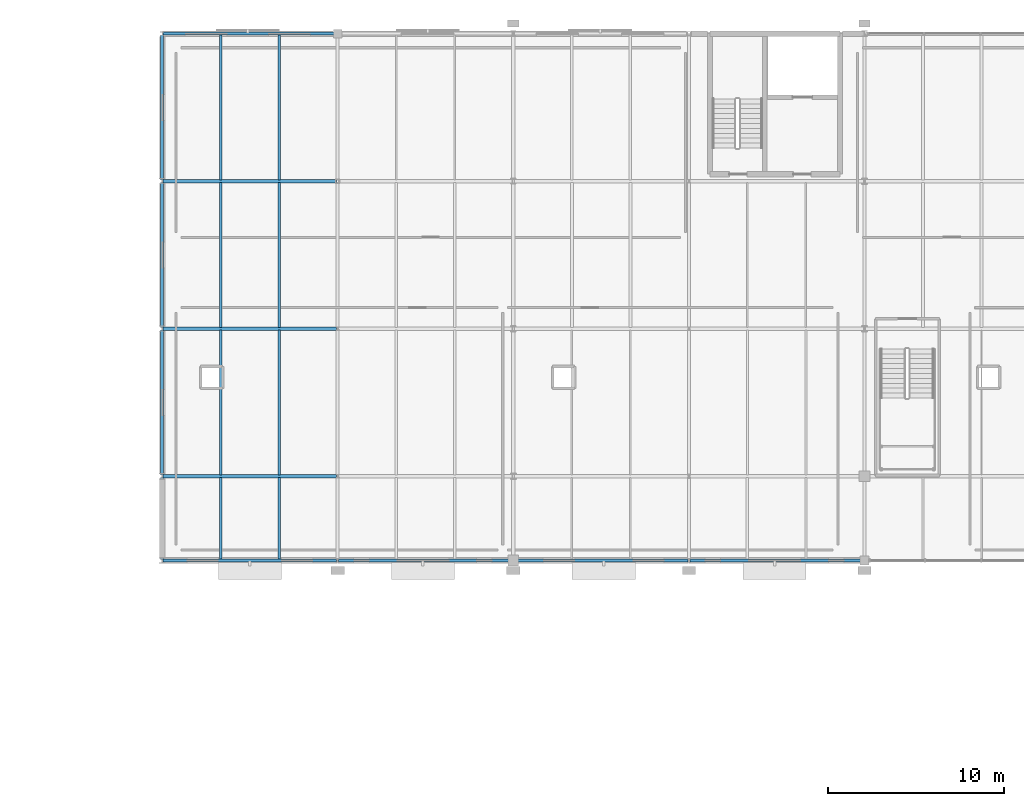
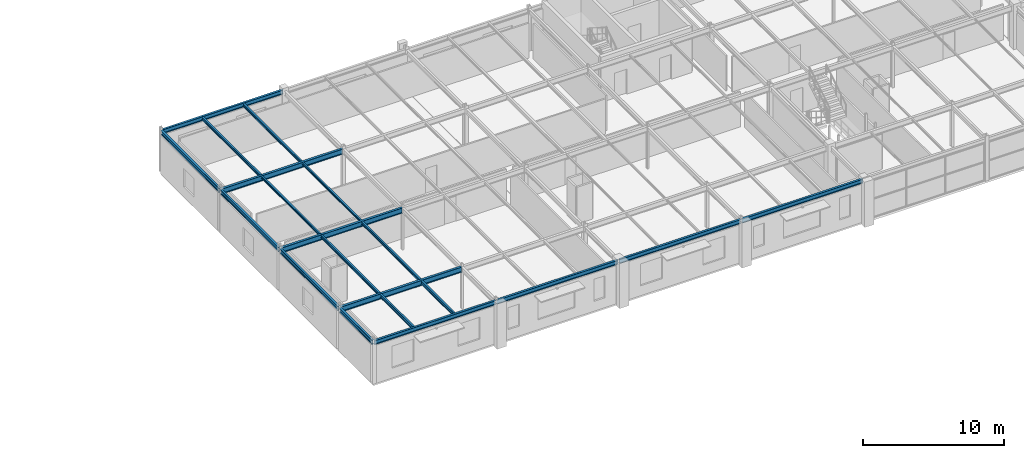
# One storey, part 53 of 98: 20 beams.
"""IFC4 building model written with IfcOpenShell, lengths in metres."""

from ifc_helpers import new_model, si_unit, derived_unit, direction, frame, origin, origin_2d_with_axis, place, context, subcontext, project, spatial, i_section, extrude, material, material_profile, profile_set, type_object, element, save


model = new_model("IFC4")

# Units and contexts
model_context = context("Model", 3, precision=1e-05, world=origin(), true_north=direction((0.0, 1.0)))
body_context = subcontext(model_context, "Body", "Model", "MODEL_VIEW")
ifc_project = project(units=[si_unit("LENGTHUNIT", "METRE"), si_unit("AREAUNIT", "SQUARE_METRE"), si_unit("VOLUMEUNIT", "CUBIC_METRE"), si_unit("PLANEANGLEUNIT", "RADIAN"), si_unit("MASSUNIT", "GRAM", prefix="KILO"), derived_unit("THERMALTRANSMITTANCEUNIT", [(si_unit("POWERUNIT", "WATT"), 1), (si_unit("LENGTHUNIT", "METRE"), -2), (si_unit("THERMODYNAMICTEMPERATUREUNIT", "KELVIN"), -1)])], contexts=[model_context])

# Site, building, storey
site_placement = place(None, origin())
site = spatial("IfcSite", under=ifc_project, at=site_placement, CompositionType="ELEMENT")
building_placement = place(site_placement, origin())
building = spatial("IfcBuilding", under=site, at=building_placement, Name="Cinnabar Yard Market Hall", CompositionType="ELEMENT")
storey_placement = place(building_placement, frame((0.0, 0.0, 4.5)))
storey = spatial("IfcBuildingStorey", under=building, at=storey_placement, Name="L01", CompositionType="ELEMENT", Elevation=4.5)

# Beams
ifc_material = material(Name="Steel Grade 300 (300 MPa)", Category="steel")
ifc_material_profile_1 = material_profile(ifc_material, i_section(OverallWidth=0.18994140625, OverallDepth=0.453857421875, WebThickness=0.008544921875, FlangeThickness=0.0126953125, FilletRadius=0.011474609375, at=origin_2d_with_axis()), Name="460UB67.1")
ifc_profile_set_1 = profile_set([ifc_material_profile_1], Name="Steel Grade 300 (300 MPa)")
beam_type_1 = type_object("IfcBeamType", Name="BM-B05", PredefinedType="BEAM", material=ifc_profile_set_1)
for number, where, z_axis, x_axis, name in (
    (1, (66.06005859375, 112.800048828125, 3.423095703125), (1.0, 0.0, 0.0), (0.0, 1.0, 0.0), "V3 L01 Girder X 01024"),
    (2, (66.06005859375, 121.199951171875, 3.423095703125), (1.0, 0.0, 0.0), (0.0, 1.0, 0.0), "V3 L01 Girder X 01025"),
    (3, (66.06005859375, 129.60009765625, 3.423095703125), (1.0, 0.0, 0.0), (0.0, 1.0, 0.0), "V3 L01 Girder X 01026"),
):
    element("IfcBeam", number, at=place(storey_placement, frame(where, z_axis=z_axis, x_axis=x_axis)), inside=storey, type_object=beam_type_1, Name=name, PredefinedType="BEAM", context=body_context, shape_type="SweptSolid", body=[
        extrude(i_section(OverallWidth=0.18994140625, OverallDepth=0.453857421875, WebThickness=0.008544921875, FlangeThickness=0.0126953125, FilletRadius=0.011474609375, at=origin_2d_with_axis()), origin(), (0.0, 0.0, 1.0), 9.8798828125),
    ])
ifc_material_profile_2 = material_profile(ifc_material, i_section(OverallWidth=0.14892578125, OverallDepth=0.298095703125, WebThickness=0.005615234375, FlangeThickness=0.008056640625, FilletRadius=0.0087890625, at=origin_2d_with_axis()), Name="310UB32.0")
ifc_profile_set_2 = profile_set([ifc_material_profile_2], Name="Steel Grade 300 (300 MPa)")
beam_type_2 = type_object("IfcBeamType", Name="BM-J02", PredefinedType="JOIST", material=ifc_profile_set_2)
for number, where, z_axis, x_axis, name in (
    (4, (69.333251953125, 108.074951171875, 3.5009765625), (0.0, 1.0, 0.0), (-1.0, 0.0, 0.0), "V3 L01 Joist 01117"),
    (5, (72.666748046875, 108.074951171875, 3.5009765625), (0.0, 1.0, 0.0), (-1.0, 0.0, 0.0), "V3 L01 Joist 01121"),
):
    element("IfcBeam", number, at=place(storey_placement, frame(where, z_axis=z_axis, x_axis=x_axis)), inside=storey, type_object=beam_type_2, Name=name, PredefinedType="JOIST", context=body_context, shape_type="SweptSolid", body=[
        extrude(i_section(OverallWidth=0.14892578125, OverallDepth=0.298095703125, WebThickness=0.005615234375, FlangeThickness=0.008056640625, FilletRadius=0.0087890625, at=origin_2d_with_axis()), origin(), (0.0, 0.0, 1.0), 4.650146484375),
    ])
ifc_material_profile_3 = material_profile(ifc_material, i_section(OverallWidth=0.14599609375, OverallDepth=0.256103515625, WebThickness=0.00634765625, FlangeThickness=0.010986328125, FilletRadius=0.0087890625, at=origin_2d_with_axis()), Name="250UB37.3")
ifc_profile_set_3 = profile_set([ifc_material_profile_3], Name="Steel Grade 300 (300 MPa)")
beam_type_3 = type_object("IfcBeamType", Name="BM-J03", PredefinedType="JOIST", material=ifc_profile_set_3)
for number, where, z_axis, x_axis, name in (
    (6, (69.333251953125, 112.875, 3.52197265625), (0.0, 1.0, 0.0), (-1.0, 0.0, 0.0), "V3 L01 Joist 01118"),
    (7, (72.666748046875, 112.875, 3.52197265625), (0.0, 1.0, 0.0), (-1.0, 0.0, 0.0), "V3 L01 Joist 01122"),
):
    element("IfcBeam", number, at=place(storey_placement, frame(where, z_axis=z_axis, x_axis=x_axis)), inside=storey, type_object=beam_type_3, Name=name, PredefinedType="JOIST", context=body_context, shape_type="SweptSolid", body=[
        extrude(i_section(OverallWidth=0.14599609375, OverallDepth=0.256103515625, WebThickness=0.00634765625, FlangeThickness=0.010986328125, FilletRadius=0.0087890625, at=origin_2d_with_axis()), origin(), (0.0, 0.0, 1.0), 8.25),
    ])
ifc_material_profile_4 = material_profile(ifc_material, i_section(OverallWidth=0.134033203125, OverallDepth=0.20703125, WebThickness=0.00634765625, FlangeThickness=0.009521484375, FilletRadius=0.0087890625, at=origin_2d_with_axis()), Name="200UB29.8")
ifc_profile_set_4 = profile_set([ifc_material_profile_4], Name="Steel Grade 300 (300 MPa)")
beam_type_4 = type_object("IfcBeamType", Name="BM-J04", PredefinedType="JOIST", material=ifc_profile_set_4)
for number, where, z_axis, x_axis, name in (
    (8, (69.333251953125, 121.27490234375, 3.54638671875), (0.0, 1.0, 0.0), (-1.0, 0.0, 0.0), "V3 L01 Joist 01119"),
    (9, (72.666748046875, 121.27490234375, 3.54638671875), (0.0, 1.0, 0.0), (-1.0, 0.0, 0.0), "V3 L01 Joist 01123"),
):
    element("IfcBeam", number, at=place(storey_placement, frame(where, z_axis=z_axis, x_axis=x_axis)), inside=storey, type_object=beam_type_4, Name=name, PredefinedType="JOIST", context=body_context, shape_type="SweptSolid", body=[
        extrude(i_section(OverallWidth=0.134033203125, OverallDepth=0.20703125, WebThickness=0.00634765625, FlangeThickness=0.009521484375, FilletRadius=0.0087890625, at=origin_2d_with_axis()), origin(), (0.0, 0.0, 1.0), 8.25),
    ])
ifc_material_profile_5 = material_profile(ifc_material, i_section(OverallWidth=0.14599609375, OverallDepth=0.251708984375, WebThickness=0.006103515625, FlangeThickness=0.008544921875, FilletRadius=0.0087890625, at=origin_2d_with_axis()), Name="250UB31.4")
ifc_profile_set_5 = profile_set([ifc_material_profile_5], Name="Steel Grade 300 (300 MPa)")
beam_type_5 = type_object("IfcBeamType", Name="BM-J05", PredefinedType="JOIST", material=ifc_profile_set_5)
for number, where, z_axis, x_axis, name in (
    (10, (69.333251953125, 129.675048828125, 3.524169921875), (0.0, 1.0, 0.0), (-1.0, 0.0, 0.0), "V3 L01 Joist 01120"),
    (11, (72.666748046875, 129.675048828125, 3.524169921875), (0.0, 1.0, 0.0), (-1.0, 0.0, 0.0), "V3 L01 Joist 01124"),
):
    element("IfcBeam", number, at=place(storey_placement, frame(where, z_axis=z_axis, x_axis=x_axis)), inside=storey, type_object=beam_type_5, Name=name, PredefinedType="JOIST", context=body_context, shape_type="SweptSolid", body=[
        extrude(i_section(OverallWidth=0.14599609375, OverallDepth=0.251708984375, WebThickness=0.006103515625, FlangeThickness=0.008544921875, FilletRadius=0.0087890625, at=origin_2d_with_axis()), origin(), (0.0, 0.0, 1.0), 8.25),
    ])
ifc_material_profile_6 = material_profile(ifc_material, i_section(OverallWidth=0.172119140625, OverallDepth=0.358642578125, WebThickness=0.008056640625, FlangeThickness=0.012939453125, FilletRadius=0.011474609375, at=origin_2d_with_axis()), Name="360UB56.7")
ifc_profile_set_6 = profile_set([ifc_material_profile_6], Name="Steel Grade 300 (300 MPa)")
beam_type_6 = type_object("IfcBeamType", Name="BM-SP02E", PredefinedType="SPANDREL", material=ifc_profile_set_6)
for number, where, z_axis, x_axis, name in (
    (12, (66.06005859375, 108.0, 3.470703125), (1.0, 0.0, 0.0), (0.0, 1.0, 0.0), "V3 L01 Girder X 01023"),
    (13, (66.06005859375, 138.0, 3.470703125), (1.0, 0.0, 0.0), (0.0, 1.0, 0.0), "V3 L01 Girder X 01027"),
    (14, (76.06005859375, 108.0, 3.470703125), (1.0, 0.0, 0.0), (0.0, 1.0, 0.0), "V3 L01 Girder X 01028"),
    (15, (86.06005859375, 108.0, 3.470703125), (1.0, 0.0, 0.0), (0.0, 1.0, 0.0), "V3 L01 Girder X 01033"),
    (16, (96.06005859375, 108.0, 3.470703125), (1.0, 0.0, 0.0), (0.0, 1.0, 0.0), "V3 L01 Girder X 01038"),
):
    element("IfcBeam", number, at=place(storey_placement, frame(where, z_axis=z_axis, x_axis=x_axis)), inside=storey, type_object=beam_type_6, Name=name, PredefinedType="SPANDREL", context=body_context, shape_type="SweptSolid", body=[
        extrude(i_section(OverallWidth=0.172119140625, OverallDepth=0.358642578125, WebThickness=0.008056640625, FlangeThickness=0.012939453125, FilletRadius=0.011474609375, at=origin_2d_with_axis()), origin(), (0.0, 0.0, 1.0), 9.8798828125),
    ])
beam_1_placement = place(storey_placement, frame((66.0, 108.06005859375, 3.470703125), z_axis=(0.0, 1.0, 0.0), x_axis=(-1.0, 0.0, 0.0)))
element("IfcBeam", 17, at=beam_1_placement, inside=storey, type_object=beam_type_6, Name="V3 L01 Girder Y 01073", PredefinedType="SPANDREL", context=body_context, shape_type="SweptSolid", body=[
    extrude(i_section(OverallWidth=0.172119140625, OverallDepth=0.358642578125, WebThickness=0.008056640625, FlangeThickness=0.012939453125, FilletRadius=0.011474609375, at=origin_2d_with_axis()), origin(), (0.0, 0.0, 1.0), 4.679931640625),
])
beam_2_placement = place(storey_placement, frame((66.0, 112.860107421875, 3.470703125), z_axis=(0.0, 1.0, 0.0), x_axis=(-1.0, 0.0, 0.0)))
element("IfcBeam", 18, at=beam_2_placement, inside=storey, type_object=beam_type_6, Name="V3 L01 Girder Y 01074", PredefinedType="SPANDREL", context=body_context, shape_type="SweptSolid", body=[
    extrude(i_section(OverallWidth=0.172119140625, OverallDepth=0.358642578125, WebThickness=0.008056640625, FlangeThickness=0.012939453125, FilletRadius=0.011474609375, at=origin_2d_with_axis()), origin(), (0.0, 0.0, 1.0), 8.27978515625),
])
for number, where, z_axis, x_axis, name in (
    (19, (66.0, 121.260009765625, 3.470703125), (0.0, 1.0, 0.0), (-1.0, 0.0, 0.0), "V3 L01 Girder Y 01075"),
    (20, (66.0, 129.659912109375, 3.470703125), (0.0, 1.0, 0.0), (-1.0, 0.0, 0.0), "V3 L01 Girder Y 01076"),
):
    element("IfcBeam", number, at=place(storey_placement, frame(where, z_axis=z_axis, x_axis=x_axis)), inside=storey, type_object=beam_type_6, Name=name, PredefinedType="SPANDREL", context=body_context, shape_type="SweptSolid", body=[
        extrude(i_section(OverallWidth=0.172119140625, OverallDepth=0.358642578125, WebThickness=0.008056640625, FlangeThickness=0.012939453125, FilletRadius=0.011474609375, at=origin_2d_with_axis()), origin(), (0.0, 0.0, 1.0), 8.280029296875),
    ])

save(model, "model.ifc")
